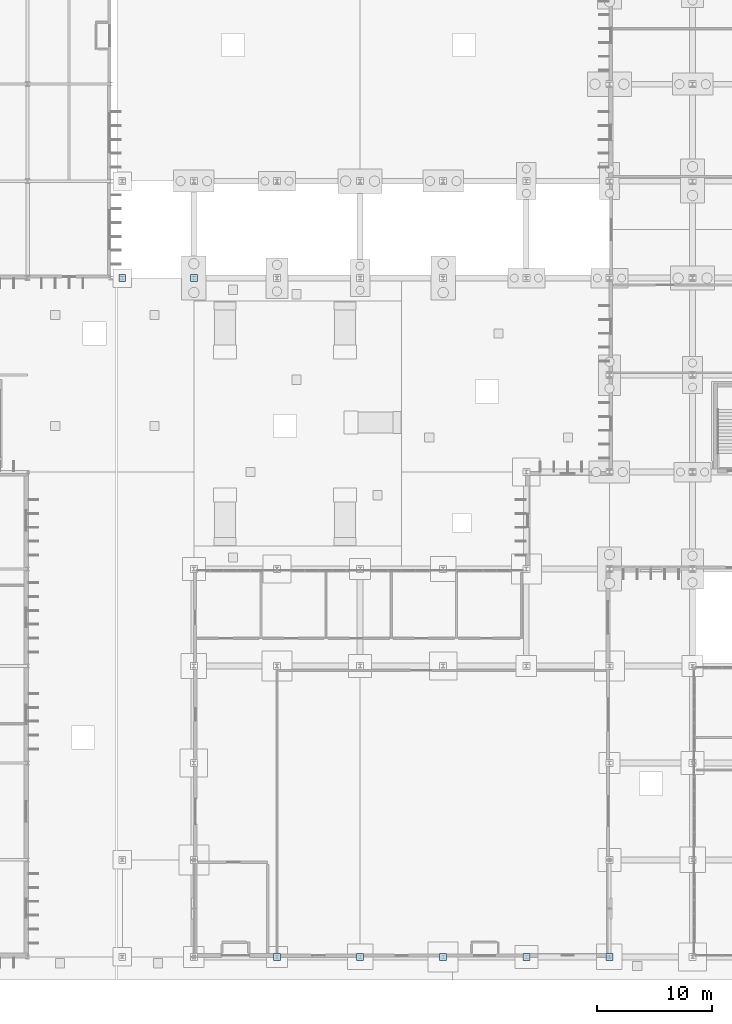
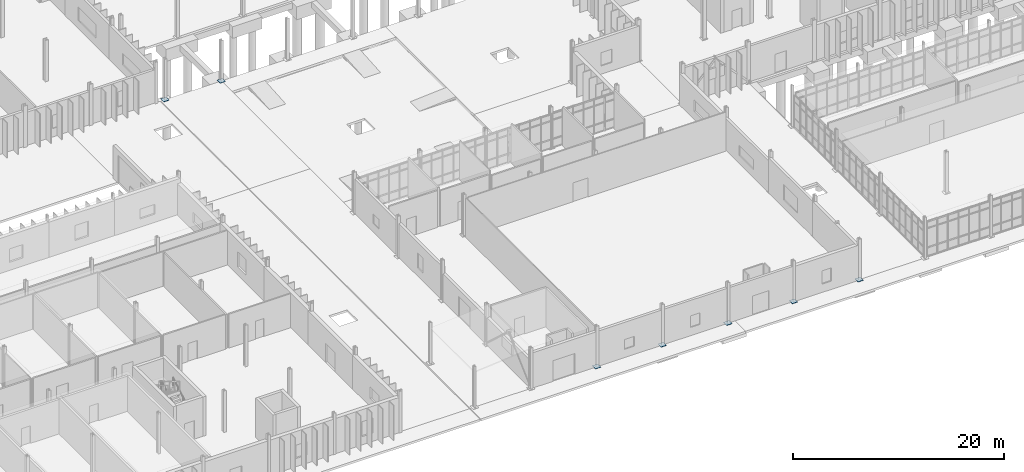
# One storey, part 74 of 118: 7 plates.
"""IFC4 building model written with IfcOpenShell, lengths in metres."""

from ifc_helpers import new_model, si_unit, direction, frame, origin, origin_2d, place, context, subcontext, project, spatial, rectangle, extrude, material, layer, layer_set, type_object, element, save


model = new_model("IFC4")

# Units and contexts
model_context = context("Model", 3, precision=1e-05, world=origin(), true_north=direction((0.0, 1.0)))
body_context = subcontext(model_context, "Body", "Model", "MODEL_VIEW")
ifc_project = project(units=[si_unit("LENGTHUNIT", "METRE"), si_unit("AREAUNIT", "SQUARE_METRE"), si_unit("VOLUMEUNIT", "CUBIC_METRE"), si_unit("PLANEANGLEUNIT", "RADIAN"), si_unit("MASSUNIT", "GRAM", prefix="KILO")], contexts=[model_context])

# Site, building, storey
site_placement = place(None, origin())
site = spatial("IfcSite", under=ifc_project, at=site_placement, CompositionType="ELEMENT")
building_placement = place(site_placement, origin())
building = spatial("IfcBuilding", under=site, at=building_placement, Name="Qelthora Terrace Specialist Clinic", CompositionType="ELEMENT")
storey_placement = place(building_placement, origin())
storey = spatial("IfcBuildingStorey", under=building, at=storey_placement, Name="L00", CompositionType="ELEMENT", Elevation=0.0)

# Plates
ifc_material = material(Name="Steel S355", Category="steel")
ifc_layer = layer(ifc_material, 0.030029296875)
ifc_layer_set = layer_set([ifc_layer], Name="Steel S355")
plate_type = type_object("IfcPlateType", Name="PLT-BASE-600X600X30", PredefinedType="USERDEFINED", material=ifc_layer_set)
for number, where, z_axis, x_axis, name in (
    (1, (51.39990234375, 58.800048828125, 0.0), (0.0, 0.0, 1.0), (1.0, 0.0, 0.0), "Steel column base plate BPLT-069"),
    (2, (57.60009765625, 58.800048828125, 0.0), (0.0, 0.0, 1.0), (1.0, 0.0, 0.0), "Steel column base plate BPLT-076"),
    (3, (64.800048828125, 0.0, 0.0), (0.0, 0.0, 1.0), (1.0, 0.0, 0.0), "Steel column base plate BPLT-081"),
    (4, (72.0, 0.0, 0.0), (0.0, 0.0, 1.0), (1.0, 0.0, 0.0), "Steel column base plate BPLT-089"),
    (5, (79.199951171875, 0.0, 0.0), (0.0, 0.0, 1.0), (1.0, 0.0, 0.0), "Steel column base plate BPLT-097"),
    (6, (86.39990234375, 0.0, 0.0), (0.0, 0.0, 1.0), (1.0, 0.0, 0.0), "Steel column base plate BPLT-105"),
    (7, (93.60009765625, 0.0, 0.0), (0.0, 0.0, 1.0), (1.0, 0.0, 0.0), "Steel column base plate BPLT-114"),
):
    element("IfcPlate", number, at=place(storey_placement, frame(where, z_axis=z_axis, x_axis=x_axis)), inside=storey, type_object=plate_type, Name=name, ObjectType="GUSSET PLATE", PredefinedType="USERDEFINED", context=body_context, shape_type="SweptSolid", body=[
        extrude(rectangle(XDim=0.60009765625, YDim=0.60009765625, at=origin_2d()), origin(), (0.0, 0.0, 1.0), 0.030029296875),
    ])

save(model, "model.ifc")
